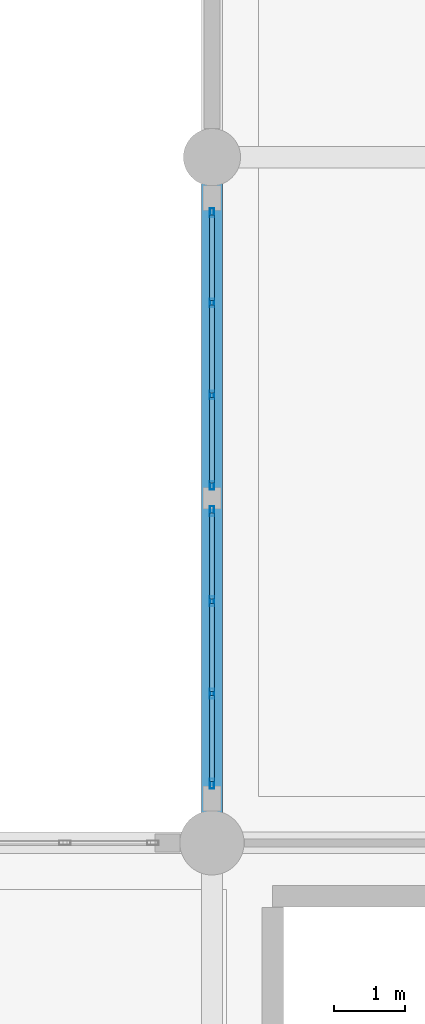
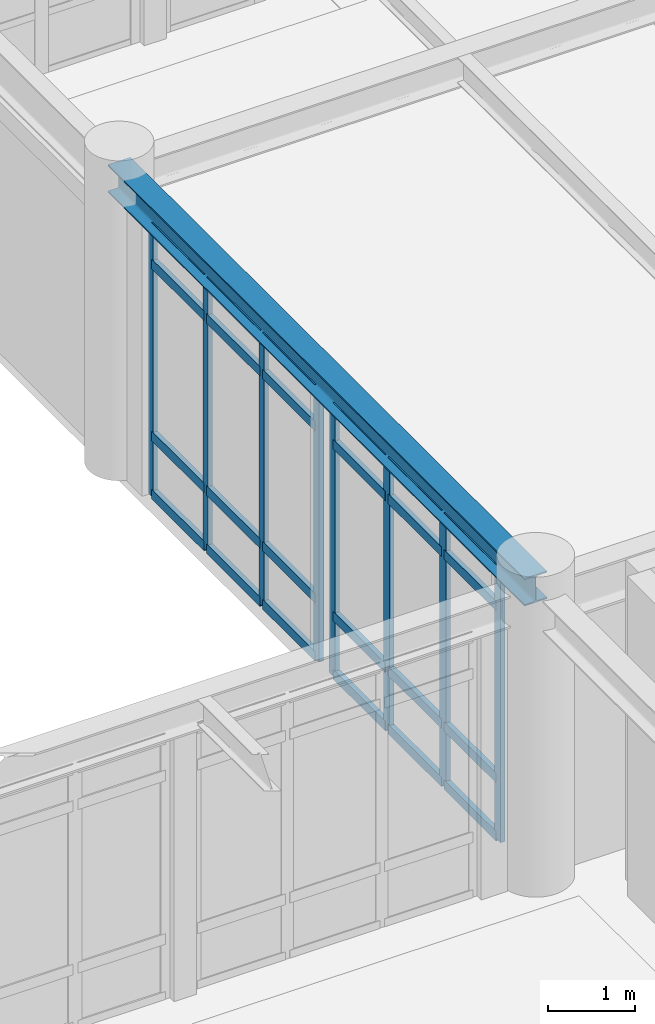
# One storey, part 13 of 61: 32 members, 1 beam, 2 elements without a shape of their own.
"""IFC4 building model written with IfcOpenShell, lengths in metres."""

from ifc_helpers import new_model, si_unit, direction, frame, origin, origin_2d, place, context, subcontext, project, spatial, hollow_rectangle, i_section, extrude, material, layer, layer_set, material_profile, profile_set, type_object, element, aggregate, save


model = new_model("IFC4")

# Units and contexts
model_context = context("Model", 3, precision=1e-05, world=origin(), true_north=direction((0.0, 1.0)))
body_context = subcontext(model_context, "Body", "Model", "MODEL_VIEW")
ifc_project = project(units=[si_unit("LENGTHUNIT", "METRE"), si_unit("AREAUNIT", "SQUARE_METRE"), si_unit("VOLUMEUNIT", "CUBIC_METRE"), si_unit("PLANEANGLEUNIT", "RADIAN"), si_unit("MASSUNIT", "GRAM", prefix="KILO")], contexts=[model_context])

# Site, building, storey
site_placement = place(None, origin())
site = spatial("IfcSite", under=ifc_project, at=site_placement, CompositionType="ELEMENT")
building_placement = place(site_placement, origin())
building = spatial("IfcBuilding", under=site, at=building_placement, Name="Fikremerkos Civic Library", CompositionType="ELEMENT")
storey_placement = place(building_placement, frame((0.0, 0.0, 14.39990234375)))
storey = spatial("IfcBuildingStorey", under=building, at=storey_placement, Name="L03", CompositionType="ELEMENT", Elevation=14.39990234375)

# Curtain wall, members
ifc_material_1 = material(Name="Anodized aluminium Frame", Category="aluminium")
ifc_layer_1 = layer(ifc_material_1, 0.159912109375, Name="Anodized aluminium Frame")
ifc_layer_set_1 = layer_set([ifc_layer_1], Name="Anodized aluminium Frame")
curtain_wall_type_1 = type_object("IfcCurtainWallType", Name="Unitised curtain wall CW-11 3200x3400", PredefinedType="USERDEFINED", material=ifc_layer_set_1)
curtain_wall_1_placement = place(storey_placement, origin())
curtain_wall_1 = element("IfcCurtainWall", 1, at=curtain_wall_1_placement, inside=storey, type_object=curtain_wall_type_1, Name="Unitised curtain wall CW-11 L03 #191", ObjectType="UNITISED CURTAIN WALL", PredefinedType="USERDEFINED")
ifc_material_profile_1 = material_profile(ifc_material_1, hollow_rectangle(XDim=0.06005859375, YDim=0.139892578125, WallThickness=0.00390625, at=origin_2d()), Name="ALU 140x60x4")
ifc_profile_set_1 = profile_set([ifc_material_profile_1], Name="Anodized aluminium Frame")
member_type_1 = type_object("IfcMemberType", Name="Curtain mullion CWM-03 ALU 140x60x4", PredefinedType="MULLION", material=ifc_profile_set_1)
member_1_placement = place(storey_placement, frame((46.199951171875, 32.028076171875, 0.0), z_axis=(0.0, 0.0, 1.0), x_axis=(-1.0, 0.0, 0.0)))
member_1 = element("IfcMember", 2, at=member_1_placement, type_object=member_type_1, Name="CW-11 mullion 1", PredefinedType="MULLION", context=body_context, shape_type="SweptSolid", body=[
    extrude(hollow_rectangle(XDim=0.06005859375, YDim=0.139892578125, WallThickness=0.00390625, at=origin_2d()), origin(), (0.0, 0.0, 1.0), 3.820068359375),
])
member_2_placement = place(storey_placement, frame((46.199951171875, 33.290283203125, 0.0), z_axis=(0.0, 0.0, 1.0), x_axis=(-1.0, 0.0, 0.0)))
member_2 = element("IfcMember", 3, at=member_2_placement, type_object=member_type_1, Name="CW-11 mullion 2", PredefinedType="MULLION", context=body_context, shape_type="SweptSolid", body=[
    extrude(hollow_rectangle(XDim=0.06005859375, YDim=0.139892578125, WallThickness=0.00390625, at=origin_2d()), origin(), (0.0, 0.0, 1.0), 3.820068359375),
])
member_3_placement = place(storey_placement, frame((46.199951171875, 34.582763671875, 0.0), z_axis=(0.0, 0.0, 1.0), x_axis=(-1.0, 0.0, 0.0)))
member_3 = element("IfcMember", 4, at=member_3_placement, type_object=member_type_1, Name="CW-11 mullion 3", PredefinedType="MULLION", context=body_context, shape_type="SweptSolid", body=[
    extrude(hollow_rectangle(XDim=0.06005859375, YDim=0.139892578125, WallThickness=0.00390625, at=origin_2d()), origin(), (0.0, 0.0, 1.0), 3.820068359375),
])
member_4_placement = place(storey_placement, frame((46.199951171875, 35.844970703125, 0.0), z_axis=(0.0, 0.0, 1.0), x_axis=(-1.0, 0.0, 0.0)))
member_4 = element("IfcMember", 5, at=member_4_placement, type_object=member_type_1, Name="CW-11 mullion 4", PredefinedType="MULLION", context=body_context, shape_type="SweptSolid", body=[
    extrude(hollow_rectangle(XDim=0.06005859375, YDim=0.139892578125, WallThickness=0.00390625, at=origin_2d()), origin(), (0.0, 0.0, 1.0), 3.820068359375),
])

ifc_layer_2 = layer(ifc_material_1, 0.159912109375, Name="Anodized aluminium Frame")
ifc_layer_set_2 = layer_set([ifc_layer_2], Name="Anodized aluminium Frame")
curtain_wall_type_2 = type_object("IfcCurtainWallType", Name="Unitised curtain wall CW-12 4300x3400", PredefinedType="USERDEFINED", material=ifc_layer_set_2)
curtain_wall_2_placement = place(storey_placement, origin())
curtain_wall_2 = element("IfcCurtainWall", 6, at=curtain_wall_2_placement, inside=storey, type_object=curtain_wall_type_2, Name="Unitised curtain wall CW-12 L03 #192", ObjectType="UNITISED CURTAIN WALL", PredefinedType="USERDEFINED")
ifc_material_profile_2 = material_profile(ifc_material_1, hollow_rectangle(XDim=0.06005859375, YDim=0.1201171875, WallThickness=0.00390625, at=origin_2d()), Name="ALU 120x60x4")
ifc_profile_set_2 = profile_set([ifc_material_profile_2], Name="Anodized aluminium Frame")
member_type_2 = type_object("IfcMemberType", Name="Curtain mullion CWM-04 ALU 120x60x4", PredefinedType="MULLION", material=ifc_profile_set_2)
member_5_placement = place(storey_placement, frame((46.199951171875, 36.205078125, 0.0), z_axis=(0.0, 0.0, 1.0), x_axis=(-1.0, 0.0, 0.0)))
member_5 = element("IfcMember", 7, at=member_5_placement, type_object=member_type_2, Name="CW-12 mullion 1", PredefinedType="MULLION", context=body_context, shape_type="SweptSolid", body=[
    extrude(hollow_rectangle(XDim=0.06005859375, YDim=0.1201171875, WallThickness=0.00390625, at=origin_2d()), origin(), (0.0, 0.0, 1.0), 3.820068359375),
])
member_6_placement = place(storey_placement, frame((46.199951171875, 37.46728515625, 0.0), z_axis=(0.0, 0.0, 1.0), x_axis=(-1.0, 0.0, 0.0)))
member_6 = element("IfcMember", 8, at=member_6_placement, type_object=member_type_2, Name="CW-12 mullion 2", PredefinedType="MULLION", context=body_context, shape_type="SweptSolid", body=[
    extrude(hollow_rectangle(XDim=0.06005859375, YDim=0.1201171875, WallThickness=0.00390625, at=origin_2d()), origin(), (0.0, 0.0, 1.0), 3.820068359375),
])
member_7_placement = place(storey_placement, frame((46.199951171875, 38.759765625, 0.0), z_axis=(0.0, 0.0, 1.0), x_axis=(-1.0, 0.0, 0.0)))
member_7 = element("IfcMember", 9, at=member_7_placement, type_object=member_type_2, Name="CW-12 mullion 3", PredefinedType="MULLION", context=body_context, shape_type="SweptSolid", body=[
    extrude(hollow_rectangle(XDim=0.06005859375, YDim=0.1201171875, WallThickness=0.00390625, at=origin_2d()), origin(), (0.0, 0.0, 1.0), 3.820068359375),
])
member_8_placement = place(storey_placement, frame((46.199951171875, 40.02197265625, 0.0), z_axis=(0.0, 0.0, 1.0), x_axis=(-1.0, 0.0, 0.0)))
member_8 = element("IfcMember", 10, at=member_8_placement, type_object=member_type_2, Name="CW-12 mullion 4", PredefinedType="MULLION", context=body_context, shape_type="SweptSolid", body=[
    extrude(hollow_rectangle(XDim=0.06005859375, YDim=0.1201171875, WallThickness=0.00390625, at=origin_2d()), origin(), (0.0, 0.0, 1.0), 3.820068359375),
])

# Member
ifc_material_profile_3 = material_profile(ifc_material_1, hollow_rectangle(XDim=0.06494140625, YDim=0.135009765625, WallThickness=0.00439453125, at=origin_2d()), Name="ALU 135x65x4.5")
ifc_profile_set_3 = profile_set([ifc_material_profile_3], Name="Anodized aluminium Frame")
member_type_3 = type_object("IfcMemberType", Name="Curtain transom CWT-02 ALU 135x65x4.5", PredefinedType="USERDEFINED", material=ifc_profile_set_3)
member_9_placement = place(storey_placement, frame((46.199951171875, 32.05810546875, 0.03271484375), z_axis=(0.0, 1.0, 0.0), x_axis=(-1.0, 0.0, 0.0)))
member_9 = element("IfcMember", 11, at=member_9_placement, type_object=member_type_3, Name="CW-11 transom 1.1", ObjectType="TRANSOM", PredefinedType="USERDEFINED", context=body_context, shape_type="SweptSolid", body=[
    extrude(hollow_rectangle(XDim=0.06494140625, YDim=0.135009765625, WallThickness=0.00439453125, at=origin_2d()), origin(), (0.0, 0.0, 1.0), 1.2021484375),
])

member_10_placement = place(storey_placement, frame((46.199951171875, 32.05810546875, 0.85009765625), z_axis=(0.0, 1.0, 0.0), x_axis=(-1.0, 0.0, 0.0)))
member_10 = element("IfcMember", 12, at=member_10_placement, type_object=member_type_3, Name="CW-11 transom 1.2", ObjectType="TRANSOM", PredefinedType="USERDEFINED", context=body_context, shape_type="SweptSolid", body=[
    extrude(hollow_rectangle(XDim=0.06494140625, YDim=0.135009765625, WallThickness=0.00439453125, at=origin_2d()), origin(), (0.0, 0.0, 1.0), 1.2021484375),
])

member_11_placement = place(storey_placement, frame((46.199951171875, 32.05810546875, 3.27001953125), z_axis=(0.0, 1.0, 0.0), x_axis=(-1.0, 0.0, 0.0)))
member_11 = element("IfcMember", 13, at=member_11_placement, type_object=member_type_3, Name="CW-11 transom 1.3", ObjectType="TRANSOM", PredefinedType="USERDEFINED", context=body_context, shape_type="SweptSolid", body=[
    extrude(hollow_rectangle(XDim=0.06494140625, YDim=0.135009765625, WallThickness=0.00439453125, at=origin_2d()), origin(), (0.0, 0.0, 1.0), 1.2021484375),
])

member_12_placement = place(storey_placement, frame((46.199951171875, 32.05810546875, 3.78759765625), z_axis=(0.0, 1.0, 0.0), x_axis=(-1.0, 0.0, 0.0)))
member_12 = element("IfcMember", 14, at=member_12_placement, type_object=member_type_3, Name="CW-11 transom 1.4", ObjectType="TRANSOM", PredefinedType="USERDEFINED", context=body_context, shape_type="SweptSolid", body=[
    extrude(hollow_rectangle(XDim=0.06494140625, YDim=0.135009765625, WallThickness=0.00439453125, at=origin_2d()), origin(), (0.0, 0.0, 1.0), 1.2021484375),
])

member_13_placement = place(storey_placement, frame((46.199951171875, 33.3203125, 0.03271484375), z_axis=(0.0, 1.0, 0.0), x_axis=(-1.0, 0.0, 0.0)))
member_13 = element("IfcMember", 15, at=member_13_placement, type_object=member_type_3, Name="CW-11 transom 2.1", ObjectType="TRANSOM", PredefinedType="USERDEFINED", context=body_context, shape_type="SweptSolid", body=[
    extrude(hollow_rectangle(XDim=0.06494140625, YDim=0.135009765625, WallThickness=0.00439453125, at=origin_2d()), origin(), (0.0, 0.0, 1.0), 1.232421875),
])

member_14_placement = place(storey_placement, frame((46.199951171875, 33.3203125, 0.85009765625), z_axis=(0.0, 1.0, 0.0), x_axis=(-1.0, 0.0, 0.0)))
member_14 = element("IfcMember", 16, at=member_14_placement, type_object=member_type_3, Name="CW-11 transom 2.2", ObjectType="TRANSOM", PredefinedType="USERDEFINED", context=body_context, shape_type="SweptSolid", body=[
    extrude(hollow_rectangle(XDim=0.06494140625, YDim=0.135009765625, WallThickness=0.00439453125, at=origin_2d()), origin(), (0.0, 0.0, 1.0), 1.232421875),
])

member_15_placement = place(storey_placement, frame((46.199951171875, 33.3203125, 3.27001953125), z_axis=(0.0, 1.0, 0.0), x_axis=(-1.0, 0.0, 0.0)))
member_15 = element("IfcMember", 17, at=member_15_placement, type_object=member_type_3, Name="CW-11 transom 2.3", ObjectType="TRANSOM", PredefinedType="USERDEFINED", context=body_context, shape_type="SweptSolid", body=[
    extrude(hollow_rectangle(XDim=0.06494140625, YDim=0.135009765625, WallThickness=0.00439453125, at=origin_2d()), origin(), (0.0, 0.0, 1.0), 1.232421875),
])

member_16_placement = place(storey_placement, frame((46.199951171875, 33.3203125, 3.78759765625), z_axis=(0.0, 1.0, 0.0), x_axis=(-1.0, 0.0, 0.0)))
member_16 = element("IfcMember", 18, at=member_16_placement, type_object=member_type_3, Name="CW-11 transom 2.4", ObjectType="TRANSOM", PredefinedType="USERDEFINED", context=body_context, shape_type="SweptSolid", body=[
    extrude(hollow_rectangle(XDim=0.06494140625, YDim=0.135009765625, WallThickness=0.00439453125, at=origin_2d()), origin(), (0.0, 0.0, 1.0), 1.232421875),
])

member_17_placement = place(storey_placement, frame((46.199951171875, 34.612548828125, 0.03271484375), z_axis=(0.0, 1.0, 0.0), x_axis=(-1.0, 0.0, 0.0)))
member_17 = element("IfcMember", 19, at=member_17_placement, type_object=member_type_3, Name="CW-11 transom 3.1", ObjectType="TRANSOM", PredefinedType="USERDEFINED", context=body_context, shape_type="SweptSolid", body=[
    extrude(hollow_rectangle(XDim=0.06494140625, YDim=0.135009765625, WallThickness=0.00439453125, at=origin_2d()), origin(), (0.0, 0.0, 1.0), 1.202392578125),
])

member_18_placement = place(storey_placement, frame((46.199951171875, 34.612548828125, 0.85009765625), z_axis=(0.0, 1.0, 0.0), x_axis=(-1.0, 0.0, 0.0)))
member_18 = element("IfcMember", 20, at=member_18_placement, type_object=member_type_3, Name="CW-11 transom 3.2", ObjectType="TRANSOM", PredefinedType="USERDEFINED", context=body_context, shape_type="SweptSolid", body=[
    extrude(hollow_rectangle(XDim=0.06494140625, YDim=0.135009765625, WallThickness=0.00439453125, at=origin_2d()), origin(), (0.0, 0.0, 1.0), 1.202392578125),
])

member_19_placement = place(storey_placement, frame((46.199951171875, 34.612548828125, 3.27001953125), z_axis=(0.0, 1.0, 0.0), x_axis=(-1.0, 0.0, 0.0)))
member_19 = element("IfcMember", 21, at=member_19_placement, type_object=member_type_3, Name="CW-11 transom 3.3", ObjectType="TRANSOM", PredefinedType="USERDEFINED", context=body_context, shape_type="SweptSolid", body=[
    extrude(hollow_rectangle(XDim=0.06494140625, YDim=0.135009765625, WallThickness=0.00439453125, at=origin_2d()), origin(), (0.0, 0.0, 1.0), 1.202392578125),
])

member_20_placement = place(storey_placement, frame((46.199951171875, 34.612548828125, 3.78759765625), z_axis=(0.0, 1.0, 0.0), x_axis=(-1.0, 0.0, 0.0)))
member_20 = element("IfcMember", 22, at=member_20_placement, type_object=member_type_3, Name="CW-11 transom 3.4", ObjectType="TRANSOM", PredefinedType="USERDEFINED", context=body_context, shape_type="SweptSolid", body=[
    extrude(hollow_rectangle(XDim=0.06494140625, YDim=0.135009765625, WallThickness=0.00439453125, at=origin_2d()), origin(), (0.0, 0.0, 1.0), 1.202392578125),
])

aggregate(curtain_wall_1, [member_1, member_2, member_3, member_4, member_9, member_10, member_11, member_12, member_13, member_14, member_15, member_16, member_17, member_18, member_19, member_20])

member_21_placement = place(storey_placement, frame((46.199951171875, 36.235107421875, 0.03271484375), z_axis=(0.0, 1.0, 0.0), x_axis=(-1.0, 0.0, 0.0)))
member_21 = element("IfcMember", 23, at=member_21_placement, type_object=member_type_3, Name="CW-12 transom 1.1", ObjectType="TRANSOM", PredefinedType="USERDEFINED", context=body_context, shape_type="SweptSolid", body=[
    extrude(hollow_rectangle(XDim=0.06494140625, YDim=0.135009765625, WallThickness=0.00439453125, at=origin_2d()), origin(), (0.0, 0.0, 1.0), 1.2021484375),
])

member_22_placement = place(storey_placement, frame((46.199951171875, 36.235107421875, 0.85009765625), z_axis=(0.0, 1.0, 0.0), x_axis=(-1.0, 0.0, 0.0)))
member_22 = element("IfcMember", 24, at=member_22_placement, type_object=member_type_3, Name="CW-12 transom 1.2", ObjectType="TRANSOM", PredefinedType="USERDEFINED", context=body_context, shape_type="SweptSolid", body=[
    extrude(hollow_rectangle(XDim=0.06494140625, YDim=0.135009765625, WallThickness=0.00439453125, at=origin_2d()), origin(), (0.0, 0.0, 1.0), 1.2021484375),
])

member_23_placement = place(storey_placement, frame((46.199951171875, 36.235107421875, 3.27001953125), z_axis=(0.0, 1.0, 0.0), x_axis=(-1.0, 0.0, 0.0)))
member_23 = element("IfcMember", 25, at=member_23_placement, type_object=member_type_3, Name="CW-12 transom 1.3", ObjectType="TRANSOM", PredefinedType="USERDEFINED", context=body_context, shape_type="SweptSolid", body=[
    extrude(hollow_rectangle(XDim=0.06494140625, YDim=0.135009765625, WallThickness=0.00439453125, at=origin_2d()), origin(), (0.0, 0.0, 1.0), 1.2021484375),
])

member_24_placement = place(storey_placement, frame((46.199951171875, 36.235107421875, 3.78759765625), z_axis=(0.0, 1.0, 0.0), x_axis=(-1.0, 0.0, 0.0)))
member_24 = element("IfcMember", 26, at=member_24_placement, type_object=member_type_3, Name="CW-12 transom 1.4", ObjectType="TRANSOM", PredefinedType="USERDEFINED", context=body_context, shape_type="SweptSolid", body=[
    extrude(hollow_rectangle(XDim=0.06494140625, YDim=0.135009765625, WallThickness=0.00439453125, at=origin_2d()), origin(), (0.0, 0.0, 1.0), 1.2021484375),
])

member_25_placement = place(storey_placement, frame((46.199951171875, 37.497314453125, 0.03271484375), z_axis=(0.0, 1.0, 0.0), x_axis=(-1.0, 0.0, 0.0)))
member_25 = element("IfcMember", 27, at=member_25_placement, type_object=member_type_3, Name="CW-12 transom 2.1", ObjectType="TRANSOM", PredefinedType="USERDEFINED", context=body_context, shape_type="SweptSolid", body=[
    extrude(hollow_rectangle(XDim=0.06494140625, YDim=0.135009765625, WallThickness=0.00439453125, at=origin_2d()), origin(), (0.0, 0.0, 1.0), 1.232421875),
])

member_26_placement = place(storey_placement, frame((46.199951171875, 37.497314453125, 0.85009765625), z_axis=(0.0, 1.0, 0.0), x_axis=(-1.0, 0.0, 0.0)))
member_26 = element("IfcMember", 28, at=member_26_placement, type_object=member_type_3, Name="CW-12 transom 2.2", ObjectType="TRANSOM", PredefinedType="USERDEFINED", context=body_context, shape_type="SweptSolid", body=[
    extrude(hollow_rectangle(XDim=0.06494140625, YDim=0.135009765625, WallThickness=0.00439453125, at=origin_2d()), origin(), (0.0, 0.0, 1.0), 1.232421875),
])

member_27_placement = place(storey_placement, frame((46.199951171875, 37.497314453125, 3.27001953125), z_axis=(0.0, 1.0, 0.0), x_axis=(-1.0, 0.0, 0.0)))
member_27 = element("IfcMember", 29, at=member_27_placement, type_object=member_type_3, Name="CW-12 transom 2.3", ObjectType="TRANSOM", PredefinedType="USERDEFINED", context=body_context, shape_type="SweptSolid", body=[
    extrude(hollow_rectangle(XDim=0.06494140625, YDim=0.135009765625, WallThickness=0.00439453125, at=origin_2d()), origin(), (0.0, 0.0, 1.0), 1.232421875),
])

member_28_placement = place(storey_placement, frame((46.199951171875, 37.497314453125, 3.78759765625), z_axis=(0.0, 1.0, 0.0), x_axis=(-1.0, 0.0, 0.0)))
member_28 = element("IfcMember", 30, at=member_28_placement, type_object=member_type_3, Name="CW-12 transom 2.4", ObjectType="TRANSOM", PredefinedType="USERDEFINED", context=body_context, shape_type="SweptSolid", body=[
    extrude(hollow_rectangle(XDim=0.06494140625, YDim=0.135009765625, WallThickness=0.00439453125, at=origin_2d()), origin(), (0.0, 0.0, 1.0), 1.232421875),
])

member_29_placement = place(storey_placement, frame((46.199951171875, 38.78955078125, 0.03271484375), z_axis=(0.0, 1.0, 0.0), x_axis=(-1.0, 0.0, 0.0)))
member_29 = element("IfcMember", 31, at=member_29_placement, type_object=member_type_3, Name="CW-12 transom 3.1", ObjectType="TRANSOM", PredefinedType="USERDEFINED", context=body_context, shape_type="SweptSolid", body=[
    extrude(hollow_rectangle(XDim=0.06494140625, YDim=0.135009765625, WallThickness=0.00439453125, at=origin_2d()), origin(), (0.0, 0.0, 1.0), 1.202392578125),
])

member_30_placement = place(storey_placement, frame((46.199951171875, 38.78955078125, 0.85009765625), z_axis=(0.0, 1.0, 0.0), x_axis=(-1.0, 0.0, 0.0)))
member_30 = element("IfcMember", 32, at=member_30_placement, type_object=member_type_3, Name="CW-12 transom 3.2", ObjectType="TRANSOM", PredefinedType="USERDEFINED", context=body_context, shape_type="SweptSolid", body=[
    extrude(hollow_rectangle(XDim=0.06494140625, YDim=0.135009765625, WallThickness=0.00439453125, at=origin_2d()), origin(), (0.0, 0.0, 1.0), 1.202392578125),
])

member_31_placement = place(storey_placement, frame((46.199951171875, 38.78955078125, 3.27001953125), z_axis=(0.0, 1.0, 0.0), x_axis=(-1.0, 0.0, 0.0)))
member_31 = element("IfcMember", 33, at=member_31_placement, type_object=member_type_3, Name="CW-12 transom 3.3", ObjectType="TRANSOM", PredefinedType="USERDEFINED", context=body_context, shape_type="SweptSolid", body=[
    extrude(hollow_rectangle(XDim=0.06494140625, YDim=0.135009765625, WallThickness=0.00439453125, at=origin_2d()), origin(), (0.0, 0.0, 1.0), 1.202392578125),
])

member_32_placement = place(storey_placement, frame((46.199951171875, 38.78955078125, 3.78759765625), z_axis=(0.0, 1.0, 0.0), x_axis=(-1.0, 0.0, 0.0)))
member_32 = element("IfcMember", 34, at=member_32_placement, type_object=member_type_3, Name="CW-12 transom 3.4", ObjectType="TRANSOM", PredefinedType="USERDEFINED", context=body_context, shape_type="SweptSolid", body=[
    extrude(hollow_rectangle(XDim=0.06494140625, YDim=0.135009765625, WallThickness=0.00439453125, at=origin_2d()), origin(), (0.0, 0.0, 1.0), 1.202392578125),
])

aggregate(curtain_wall_2, [member_5, member_6, member_7, member_8, member_21, member_22, member_23, member_24, member_25, member_26, member_27, member_28, member_29, member_30, member_31, member_32])

# Beam
ifc_material_2 = material(Name="Steel S355", Category="steel")
ifc_material_profile_4 = material_profile(ifc_material_2, i_section(OverallWidth=0.300048828125, OverallDepth=0.389892578125, WebThickness=0.010986328125, FlangeThickness=0.01904296875, FilletRadius=0.027099609375, at=origin_2d()), Name="HEA 400")
ifc_profile_set_4 = profile_set([ifc_material_profile_4], Name="Steel S355")
beam_type = type_object("IfcBeamType", Name="Primary girder BM-19 HEA 400", PredefinedType="BEAM", material=ifc_profile_set_4)
beam_placement = place(storey_placement, frame((46.199951171875, 31.199951171875, 4.025146484375), z_axis=(0.0, 1.0, 0.0), x_axis=(-1.0, 0.0, 0.0)))
element("IfcBeam", 35, at=beam_placement, inside=storey, type_object=beam_type, Name="Primary girder BM-19 L03 grid 5", PredefinedType="BEAM", context=body_context, shape_type="SweptSolid", body=[
    extrude(i_section(OverallWidth=0.300048828125, OverallDepth=0.389892578125, WebThickness=0.010986328125, FlangeThickness=0.01904296875, FilletRadius=0.027099609375, at=origin_2d()), origin(), (0.0, 0.0, 1.0), 9.60009765625),
])

save(model, "model.ifc")
